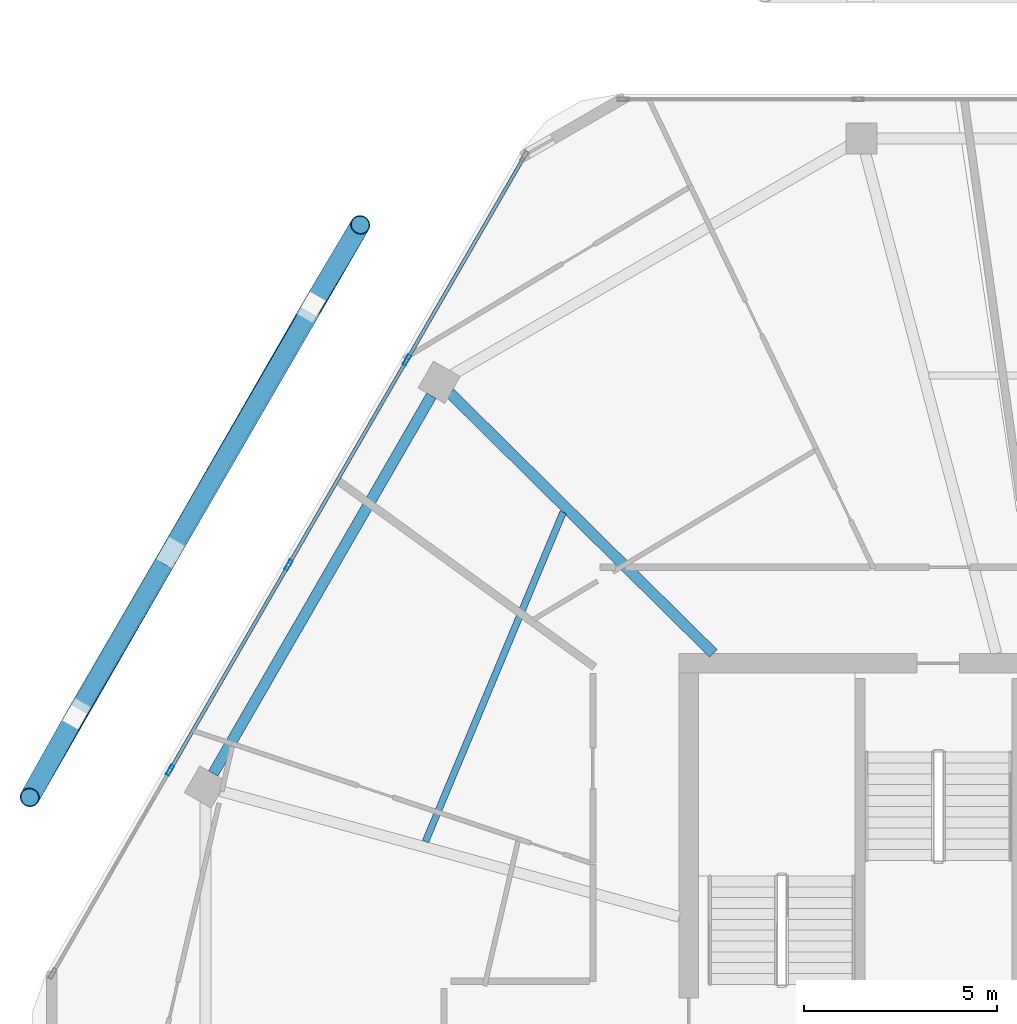
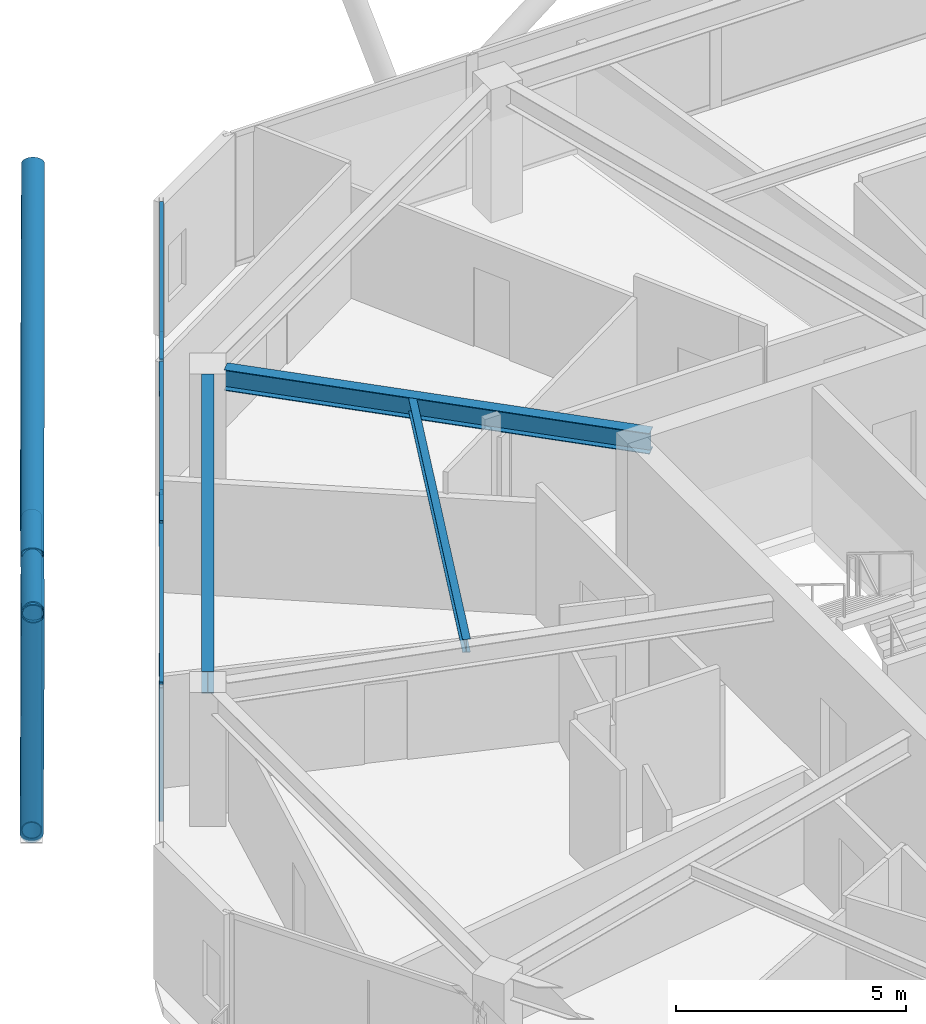
# One storey, part 10 of 24: 15 members, 3 beams, 1 element without a shape of its own.
"""IFC4 building model written with IfcOpenShell, lengths in metres."""

from ifc_helpers import new_model, si_unit, direction, frame, origin, origin_2d, place, context, subcontext, project, spatial, hollow_rectangle, hollow_circle, i_section, extrude, material, material_profile, profile_set, type_object, element, aggregate, save


model = new_model("IFC4")

# Units and contexts
model_context = context("Model", 3, precision=1e-05, world=origin(), true_north=direction((0.0, 1.0)))
body_context = subcontext(model_context, "Body", "Model", "MODEL_VIEW")
ifc_project = project(units=[si_unit("LENGTHUNIT", "METRE"), si_unit("AREAUNIT", "SQUARE_METRE"), si_unit("VOLUMEUNIT", "CUBIC_METRE"), si_unit("PLANEANGLEUNIT", "RADIAN"), si_unit("MASSUNIT", "GRAM", prefix="KILO")], contexts=[model_context])

# Site, building, storey
site_placement = place(None, origin())
site = spatial("IfcSite", under=ifc_project, at=site_placement, CompositionType="ELEMENT")
building_placement = place(site_placement, origin())
building = spatial("IfcBuilding", under=site, at=building_placement, Name="Zuhravey Tower", CompositionType="ELEMENT")
storey_placement = place(building_placement, frame((0.0, 0.0, 308.199951171875)))
storey = spatial("IfcBuildingStorey", under=building, at=storey_placement, Name="L78", CompositionType="ELEMENT", Elevation=308.199951171875)

# Curtain wall, members
ifc_material_1 = material(Name="Thermally broken anodised aluminium", Category="aluminium")
curtain_wall_type = type_object("IfcCurtainWallType", Name="Zone 3-4 High-Rise Curtain Wall CW4", PredefinedType="NOTDEFINED", material=ifc_material_1)
curtain_wall_placement = place(storey_placement, origin())
curtain_wall = element("IfcCurtainWall", 1, at=curtain_wall_placement, inside=storey, type_object=curtain_wall_type, Name="L78 CW4 CW-L78-F3-1", PredefinedType="NOTDEFINED")
ifc_material_2 = material(Name="Anodised aluminium", Category="aluminium")
ifc_material_profile_1 = material_profile(ifc_material_2, hollow_rectangle(XDim=0.090087890625, YDim=0.284912109375, WallThickness=0.0048828125, at=origin_2d()), Name="ALU-RHS-90x285x5")
ifc_profile_set_1 = profile_set([ifc_material_profile_1], Name="Anodised aluminium")
member_type_1 = type_object("IfcMemberType", Name="Curtain-Wall Mullion 90x180", PredefinedType="MULLION", material=ifc_profile_set_1)
member_1_placement = place(storey_placement, frame((12.09130859375, 38.7373046875, 0.0), z_axis=(0.0, 0.0, 1.0), x_axis=(-0.866025511541, 0.49999981336, 0.0)))
member_1 = element("IfcMember", 2, at=member_1_placement, type_object=member_type_1, Name="CW4 mullion 2", PredefinedType="MULLION", context=body_context, shape_type="SweptSolid", body=[
    extrude(hollow_rectangle(XDim=0.090087890625, YDim=0.284912109375, WallThickness=0.0048828125, at=origin_2d()), origin(), (0.0, 0.0, 1.0), 3.550048828125),
])
member_2_placement = place(storey_placement, frame((15.1513671875, 44.037109375, 0.0), z_axis=(0.0, 0.0, 1.0), x_axis=(-0.866025511541, 0.49999981336, 0.0)))
member_2 = element("IfcMember", 3, at=member_2_placement, type_object=member_type_1, Name="CW4 mullion 3", PredefinedType="MULLION", context=body_context, shape_type="SweptSolid", body=[
    extrude(hollow_rectangle(XDim=0.090087890625, YDim=0.284912109375, WallThickness=0.0048828125, at=origin_2d()), origin(), (0.0, 0.0, 1.0), 3.550048828125),
])
member_3_placement = place(storey_placement, frame((18.211181640625, 49.3369140625, 0.0), z_axis=(0.0, 0.0, 1.0), x_axis=(-0.866025511541, 0.49999981336, 0.0)))
member_3 = element("IfcMember", 4, at=member_3_placement, type_object=member_type_1, Name="CW4 mullion 4", PredefinedType="MULLION", context=body_context, shape_type="SweptSolid", body=[
    extrude(hollow_rectangle(XDim=0.090087890625, YDim=0.284912109375, WallThickness=0.0048828125, at=origin_2d()), origin(), (0.0, 0.0, 1.0), 3.550048828125),
])
ifc_material_profile_2 = material_profile(ifc_material_2, hollow_rectangle(XDim=0.090087890625, YDim=0.14990234375, WallThickness=0.0048828125, at=origin_2d()), Name="ALU-RHS-90x150x5")
ifc_profile_set_2 = profile_set([ifc_material_profile_2], Name="Anodised aluminium")
member_type_2 = type_object("IfcMemberType", Name="Curtain-Wall Transom 90x150", PredefinedType="USERDEFINED", material=ifc_profile_set_2)
member_4_placement = place(storey_placement, frame((12.114013671875, 38.7763671875, 0.045166015625), z_axis=(0.499988837749, 0.866031848217, 0.0), x_axis=(-0.866031848217, 0.499988837749, 0.0)))
member_4 = element("IfcMember", 5, at=member_4_placement, type_object=member_type_2, Name="CW4 transom 2.1", ObjectType="TRANSOM", PredefinedType="USERDEFINED", context=body_context, shape_type="SweptSolid", body=[
    extrude(hollow_rectangle(XDim=0.090087890625, YDim=0.14990234375, WallThickness=0.0048828125, at=origin_2d()), origin(), (0.0, 0.0, 1.0), 6.029541015625),
])
member_5_placement = place(storey_placement, frame((12.114013671875, 38.7763671875, 3.505126953125), z_axis=(0.499988837749, 0.866031848217, 0.0), x_axis=(-0.866031848217, 0.499988837749, 0.0)))
member_5 = element("IfcMember", 6, at=member_5_placement, type_object=member_type_2, Name="CW4 transom 2.2", ObjectType="TRANSOM", PredefinedType="USERDEFINED", context=body_context, shape_type="SweptSolid", body=[
    extrude(hollow_rectangle(XDim=0.090087890625, YDim=0.14990234375, WallThickness=0.0048828125, at=origin_2d()), origin(), (0.0, 0.0, 1.0), 6.029541015625),
])
member_6_placement = place(storey_placement, frame((15.173828125, 44.075927734375, 0.045166015625), z_axis=(0.499971305196, 0.866041970103, 0.0), x_axis=(-0.866041970103, 0.499971305196, 0.0)))
member_6 = element("IfcMember", 7, at=member_6_placement, type_object=member_type_2, Name="CW4 transom 3.1", ObjectType="TRANSOM", PredefinedType="USERDEFINED", context=body_context, shape_type="SweptSolid", body=[
    extrude(hollow_rectangle(XDim=0.090087890625, YDim=0.14990234375, WallThickness=0.0048828125, at=origin_2d()), origin(), (0.0, 0.0, 1.0), 6.029541015625),
])
member_7_placement = place(storey_placement, frame((15.173828125, 44.075927734375, 3.505126953125), z_axis=(0.499971305196, 0.866041970103, 0.0), x_axis=(-0.866041970103, 0.499971305196, 0.0)))
member_7 = element("IfcMember", 8, at=member_7_placement, type_object=member_type_2, Name="CW4 transom 3.2", ObjectType="TRANSOM", PredefinedType="USERDEFINED", context=body_context, shape_type="SweptSolid", body=[
    extrude(hollow_rectangle(XDim=0.090087890625, YDim=0.14990234375, WallThickness=0.0048828125, at=origin_2d()), origin(), (0.0, 0.0, 1.0), 6.029541015625),
])
member_8_placement = place(storey_placement, frame((18.233642578125, 49.375732421875, 0.045166015625), z_axis=(0.499982594807, 0.866035452444, 0.0), x_axis=(-0.866035452444, 0.499982594807, 0.0)))
member_8 = element("IfcMember", 9, at=member_8_placement, type_object=member_type_2, Name="CW4 transom 4.1", ObjectType="TRANSOM", PredefinedType="USERDEFINED", context=body_context, shape_type="SweptSolid", body=[
    extrude(hollow_rectangle(XDim=0.090087890625, YDim=0.14990234375, WallThickness=0.0048828125, at=origin_2d()), origin(), (0.0, 0.0, 1.0), 5.984619140625),
])
member_9_placement = place(storey_placement, frame((18.233642578125, 49.375732421875, 3.505126953125), z_axis=(0.499982594807, 0.866035452444, 0.0), x_axis=(-0.866035452444, 0.499982594807, 0.0)))
member_9 = element("IfcMember", 10, at=member_9_placement, type_object=member_type_2, Name="CW4 transom 4.2", ObjectType="TRANSOM", PredefinedType="USERDEFINED", context=body_context, shape_type="SweptSolid", body=[
    extrude(hollow_rectangle(XDim=0.090087890625, YDim=0.14990234375, WallThickness=0.0048828125, at=origin_2d()), origin(), (0.0, 0.0, 1.0), 5.984619140625),
])
aggregate(curtain_wall, [member_1, member_2, member_3, member_4, member_5, member_6, member_7, member_8, member_9])

# Members
ifc_material_3 = material(Name="Steel SM355", Category="steel")
ifc_material_profile_3 = material_profile(ifc_material_3, hollow_circle(Radius=0.228515625, WallThickness=0.02197265625, at=origin_2d()), Name="CHS-457.2x22")
ifc_profile_set_3 = profile_set([ifc_material_profile_3], Name="Steel SM355")
member_type_3 = type_object("IfcMemberType", Name="Exoskeleton Ring Tie CHS457x22", PredefinedType="CHORD", material=ifc_profile_set_3)
member_10_placement = place(storey_placement, frame((15.6728515625, 50.580322265625, -0.4638671875), z_axis=(-0.500004115931, -0.866023027437, 0.0), x_axis=(0.866023027437, -0.500004115931, 0.0)))
element("IfcMember", 11, at=member_10_placement, inside=storey, type_object=member_type_3, Name="L78 Exoskeleton Face 3 Tie EXR1", PredefinedType="CHORD", context=body_context, shape_type="SweptSolid", body=[
    extrude(hollow_circle(Radius=0.228515625, WallThickness=0.02197265625, at=origin_2d()), origin(), (0.0, 0.0, 1.0), 11.85498046875),
])
ifc_material_profile_4 = material_profile(ifc_material_3, hollow_circle(Radius=0.25390625, WallThickness=0.02490234375, at=origin_2d()), Name="CHS-508.0x25")
ifc_profile_set_4 = profile_set([ifc_material_profile_4], Name="Steel SM355")
member_type_4 = type_object("IfcMemberType", Name="Exoskeleton Zone 4 Diagrid CHS508x25", PredefinedType="BRACE", material=ifc_profile_set_4)
member_11_placement = place(storey_placement, frame((15.745361328125, 50.7060546875, -0.447998046875), z_axis=(0.158476866011, 0.26696973597, 0.950585210812), x_axis=(-0.859906229108, 0.510452032165, 0.0)))
element("IfcMember", 12, at=member_11_placement, inside=storey, type_object=member_type_4, Name="L78 Face 3 Diagrid Brace 1", PredefinedType="BRACE", context=body_context, shape_type="SweptSolid", body=[
    extrude(hollow_circle(Radius=0.25390625, WallThickness=0.02490234375, at=origin_2d()), origin(), (0.0, 0.0, 1.0), 7.96142578125),
])
member_12_placement = place(storey_placement, frame((15.7275390625, 50.6748046875, -0.447998046875), z_axis=(-0.442048846149, -0.769269760138, 0.461320771), x_axis=(0.86704326112, -0.498232860565, 0.0)))
element("IfcMember", 13, at=member_12_placement, inside=storey, type_object=member_type_4, Name="L78 Face 3 Diagrid Brace 2", PredefinedType="BRACE", context=body_context, shape_type="SweptSolid", body=[
    extrude(hollow_circle(Radius=0.25390625, WallThickness=0.02490234375, at=origin_2d()), origin(), (0.0, 0.0, 1.0), 16.4052734375),
])
member_13_placement = place(storey_placement, frame((9.6728515625, 40.18798828125, -0.447998046875), z_axis=(-0.151975128537, -0.270740195693, 0.950580510395), x_axis=(0.872010411555, -0.48948732582, 0.0)))
element("IfcMember", 14, at=member_13_placement, inside=storey, type_object=member_type_4, Name="L78 Face 3 Diagrid Brace 4", PredefinedType="BRACE", context=body_context, shape_type="SweptSolid", body=[
    extrude(hollow_circle(Radius=0.25390625, WallThickness=0.02490234375, at=origin_2d()), origin(), (0.0, 0.0, 1.0), 7.961669921875),
])
member_14_placement = place(storey_placement, frame((9.689208984375, 40.216064453125, -0.4423828125), z_axis=(0.394944668094, 0.679224890922, 0.618605089452), x_axis=(-0.86448148297, 0.502664665162, 0.0)))
element("IfcMember", 15, at=member_14_placement, inside=storey, type_object=member_type_4, Name="L78 Face 3 Split Diagrid Brace 3A", PredefinedType="BRACE", context=body_context, shape_type="SweptSolid", body=[
    extrude(hollow_circle(Radius=0.25390625, WallThickness=0.02490234375, at=origin_2d()), origin(), (0.0, 0.0, 1.0), 5.864013671875),
])
member_15_placement = place(storey_placement, frame((12.215576171875, 44.5615234375, 3.42431640625), z_axis=(0.467361193455, 0.806628500971, 0.361834183395), x_axis=(-0.865256117944, 0.501330081245, 0.0)))
element("IfcMember", 16, at=member_15_placement, inside=storey, type_object=member_type_4, Name="L78 Face 3 Split Diagrid Brace 3B", PredefinedType="BRACE", context=body_context, shape_type="SweptSolid", body=[
    extrude(hollow_circle(Radius=0.25390625, WallThickness=0.02490234375, at=origin_2d()), origin(), (0.0, 0.0, 1.0), 10.2236328125),
])

# Beams
ifc_material_profile_5 = material_profile(ifc_material_3, i_section(OverallWidth=0.280029296875, OverallDepth=0.580078125, WebThickness=0.011962890625, FlangeThickness=0.01904296875, at=origin_2d()), Name="H-580x280x12x19")
ifc_profile_set_5 = profile_set([ifc_material_profile_5], Name="Steel SM355")
beam_type_1 = type_object("IfcBeamType", Name="Perimeter Ring Beam H580x280", PredefinedType="BEAM", material=ifc_profile_set_5)
beam_1_placement = place(storey_placement, frame((18.84375, 48.41259765625, 3.260009765625), z_axis=(-0.500006198144, -0.866021825255, 0.0), x_axis=(0.866021825255, -0.500006198144, 0.0)))
element("IfcBeam", 17, at=beam_1_placement, inside=storey, type_object=beam_type_1, Name="L78 PB4 BM-L78-PB-05", PredefinedType="BEAM", context=body_context, shape_type="SweptSolid", body=[
    extrude(i_section(OverallWidth=0.280029296875, OverallDepth=0.580078125, WebThickness=0.011962890625, FlangeThickness=0.01904296875, at=origin_2d()), origin(), (0.0, 0.0, 1.0), 11.271240234375),
])
ifc_material_profile_6 = material_profile(ifc_material_3, i_section(OverallWidth=0.280029296875, OverallDepth=0.550048828125, WebThickness=0.010986328125, FlangeThickness=0.01806640625, at=origin_2d()), Name="H-550x280x11x18")
ifc_profile_set_6 = profile_set([ifc_material_profile_6], Name="Steel SM355")
beam_type_2 = type_object("IfcBeamType", Name="Radial Primary Girder H550x280", PredefinedType="BEAM", material=ifc_profile_set_6)
beam_2_placement = place(storey_placement, frame((26.134765625, 41.7529296875, 3.275146484375), z_axis=(-0.711153035666, 0.703037239314, 0.0), x_axis=(-0.703037239314, -0.711153035666, 0.0)))
element("IfcBeam", 18, at=beam_2_placement, inside=storey, type_object=beam_type_2, Name="L78 RG4 BM-L78-RAD-05", PredefinedType="BEAM", context=body_context, shape_type="SweptSolid", body=[
    extrude(i_section(OverallWidth=0.280029296875, OverallDepth=0.550048828125, WebThickness=0.010986328125, FlangeThickness=0.01806640625, at=origin_2d()), origin(), (0.0, 0.0, 1.0), 9.566162109375),
])
ifc_material_profile_7 = material_profile(ifc_material_3, i_section(OverallWidth=0.175048828125, OverallDepth=0.35009765625, WebThickness=0.007080078125, FlangeThickness=0.010986328125, at=origin_2d()), Name="H-350x175x7x11")
ifc_profile_set_7 = profile_set([ifc_material_profile_7], Name="Steel SM355")
beam_type_3 = type_object("IfcBeamType", Name="Secondary Floor Joist H350x175", PredefinedType="JOIST", material=ifc_profile_set_7)
beam_3_placement = place(storey_placement, frame((22.2509765625, 45.40478515625, 3.375), z_axis=(-0.385657891576, -0.922641853953, 0.0), x_axis=(0.922641853953, -0.385657891576, 0.0)))
element("IfcBeam", 19, at=beam_3_placement, inside=storey, type_object=beam_type_3, Name="L78 SJ3 BM-L78-SJ-05-1", PredefinedType="JOIST", context=body_context, shape_type="SweptSolid", body=[
    extrude(i_section(OverallWidth=0.175048828125, OverallDepth=0.35009765625, WebThickness=0.007080078125, FlangeThickness=0.010986328125, at=origin_2d()), origin(), (0.0, 0.0, 1.0), 9.226806640625),
])

save(model, "model.ifc")
